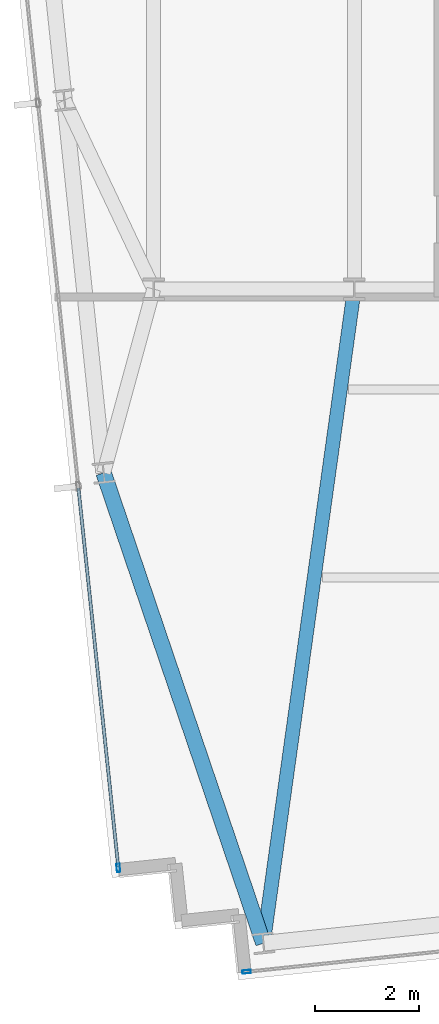
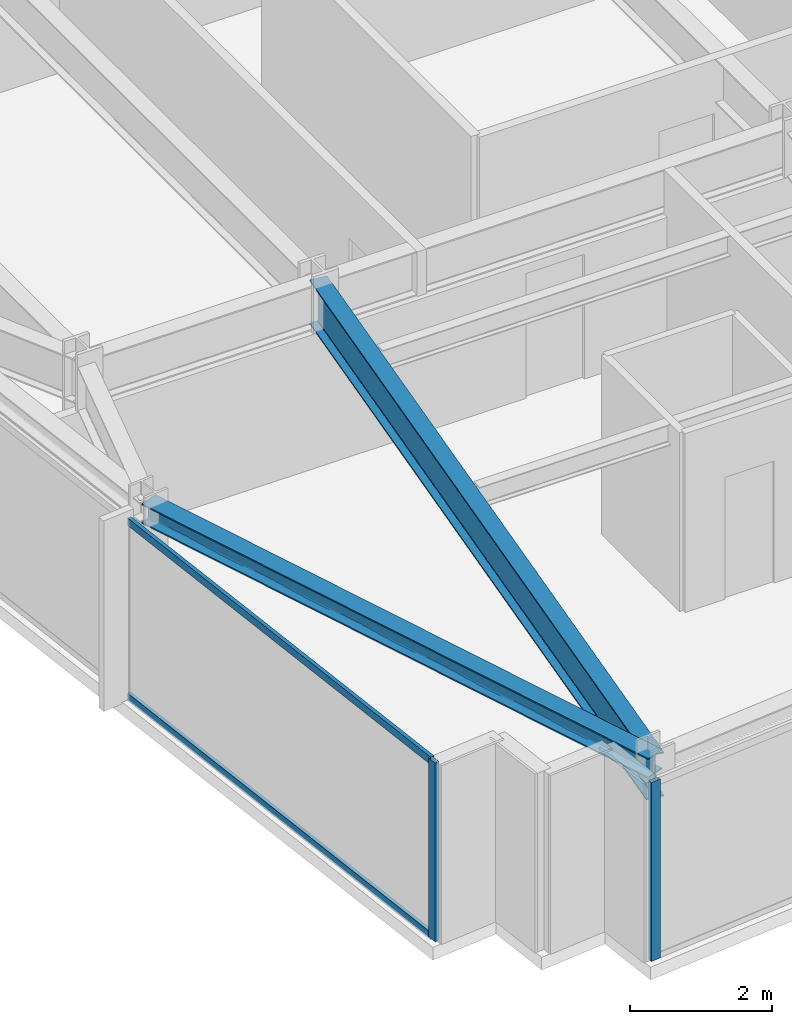
# One storey, part 2 of 33: 4 members, 2 beams, 2 elements without a shape of their own.
"""IFC4 building model written with IfcOpenShell, lengths in metres."""

from ifc_helpers import new_model, si_unit, direction, frame, origin, origin_2d, place, context, subcontext, project, spatial, hollow_rectangle, i_section, extrude, material, material_profile, profile_set, type_object, element, aggregate, save


model = new_model("IFC4")

# Units and contexts
model_context = context("Model", 3, precision=1e-05, world=origin(), true_north=direction((0.0, 1.0)))
body_context = subcontext(model_context, "Body", "Model", "MODEL_VIEW")
ifc_project = project(units=[si_unit("LENGTHUNIT", "METRE"), si_unit("AREAUNIT", "SQUARE_METRE"), si_unit("VOLUMEUNIT", "CUBIC_METRE"), si_unit("PLANEANGLEUNIT", "RADIAN"), si_unit("MASSUNIT", "GRAM", prefix="KILO")], contexts=[model_context])

# Site, building, storey
site_placement = place(None, origin())
site = spatial("IfcSite", under=ifc_project, at=site_placement, CompositionType="ELEMENT")
building_placement = place(site_placement, origin())
building = spatial("IfcBuilding", under=site, at=building_placement, Name="Yelkora Congress Tower", CompositionType="ELEMENT")
storey_placement = place(building_placement, frame((0.0, 0.0, 237.5)))
storey = spatial("IfcBuildingStorey", under=building, at=storey_placement, Name="L66", CompositionType="ELEMENT", Elevation=237.5)

# Beams
ifc_material_1 = material(Name="Steel S355J2", Category="steel")
ifc_material_profile_1 = material_profile(ifc_material_1, i_section(OverallWidth=0.26708984375, OverallDepth=0.761962890625, WebThickness=0.014404296875, FlangeThickness=0.021484375, FilletRadius=0.01708984375, at=origin_2d()), Name="IPE 750x173")
ifc_profile_set_1 = profile_set([ifc_material_profile_1], Name="Steel S355J2")
beam_type_1 = type_object("IfcBeamType", Name="BM-GIRD-IPE750", PredefinedType="BEAM", material=ifc_profile_set_1)
beam_1_placement = place(storey_placement, frame((21.299072265625, 12.678466796875, 2.698974609375), z_axis=(0.137713626184, 0.990472088028, 0.0), x_axis=(-0.990472088028, 0.137713626184, 0.0)))
element("IfcBeam", 1, at=beam_1_placement, inside=storey, type_object=beam_type_1, Name="L66 Primary Frame Girder S01", PredefinedType="BEAM", context=body_context, shape_type="SweptSolid", body=[
    extrude(i_section(OverallWidth=0.26708984375, OverallDepth=0.761962890625, WebThickness=0.014404296875, FlangeThickness=0.021484375, FilletRadius=0.01708984375, at=origin_2d()), origin(), (0.0, 0.0, 1.0), 12.641845703125),
])
ifc_material_profile_2 = material_profile(ifc_material_1, i_section(OverallWidth=0.300048828125, OverallDepth=0.340087890625, WebThickness=0.011962890625, FlangeThickness=0.021484375, FilletRadius=0.027099609375, at=origin_2d()), Name="HEB 340")
ifc_profile_set_2 = profile_set([ifc_material_profile_2], Name="Steel S355J2")
beam_type_2 = type_object("IfcBeamType", Name="BM-SPAN-HEB340", PredefinedType="SPANDREL", material=ifc_profile_set_2)
beam_2_placement = place(storey_placement, frame((18.2412109375, 21.68310546875, 2.909912109375), z_axis=(0.321552459514, -0.94689176561, 0.0), x_axis=(0.94689176561, 0.321552459514, 0.0)))
element("IfcBeam", 2, at=beam_2_placement, inside=storey, type_object=beam_type_2, Name="L66 Perimeter Beam 2", PredefinedType="SPANDREL", context=body_context, shape_type="SweptSolid", body=[
    extrude(i_section(OverallWidth=0.300048828125, OverallDepth=0.340087890625, WebThickness=0.011962890625, FlangeThickness=0.021484375, FilletRadius=0.027099609375, at=origin_2d()), origin(), (0.0, 0.0, 1.0), 9.509765625),
])

# Curtain wall, member
ifc_material_2 = material(Name="Anodised aluminium and insulated glass", Category="aluminium")
curtain_wall_type = type_object("IfcCurtainWallType", Name="CW-SYS-B4", PredefinedType="NOTDEFINED", material=ifc_material_2)
curtain_wall_1_placement = place(storey_placement, origin())
curtain_wall_1 = element("IfcCurtainWall", 3, at=curtain_wall_1_placement, inside=storey, type_object=curtain_wall_type, Name="L66 Unitised Curtain Wall 5", PredefinedType="NOTDEFINED")
ifc_material_3 = material(Name="Anodised aluminium 6063-T6", Category="aluminium")
ifc_material_profile_3 = material_profile(ifc_material_3, hollow_rectangle(XDim=0.06494140625, YDim=0.159912109375, WallThickness=0.00390625, at=origin_2d()), Name="ALU 65x160x4")
ifc_profile_set_3 = profile_set([ifc_material_profile_3], Name="Anodised aluminium 6063-T6")
member_type_1 = type_object("IfcMemberType", Name="MEM-ML-B4", PredefinedType="MULLION", material=ifc_profile_set_3)
member_1_placement = place(storey_placement, frame((18.523193359375, 14.118896484375, 0.0), z_axis=(0.0, 0.0, 1.0), x_axis=(-0.994522145958, -0.104526079034, 0.0)))
member_1 = element("IfcMember", 4, at=member_1_placement, type_object=member_type_1, Name="CW-B4 mullion 1", PredefinedType="MULLION", context=body_context, shape_type="SweptSolid", body=[
    extrude(hollow_rectangle(XDim=0.06494140625, YDim=0.159912109375, WallThickness=0.00390625, at=origin_2d()), origin(), (0.0, 0.0, 1.0), 3.080078125),
])

curtain_wall_2_placement = place(storey_placement, origin())
curtain_wall_2 = element("IfcCurtainWall", 5, at=curtain_wall_2_placement, inside=storey, type_object=curtain_wall_type, Name="L66 Unitised Curtain Wall 20", PredefinedType="NOTDEFINED")
member_2_placement = place(storey_placement, frame((20.976806640625, 12.1318359375, 0.0), z_axis=(0.0, 0.0, 1.0), x_axis=(0.104526664994, -0.994522084373, 0.0)))
member_2 = element("IfcMember", 6, at=member_2_placement, type_object=member_type_1, Name="CW-B4 mullion 8", PredefinedType="MULLION", context=body_context, shape_type="SweptSolid", body=[
    extrude(hollow_rectangle(XDim=0.06494140625, YDim=0.159912109375, WallThickness=0.00390625, at=origin_2d()), origin(), (0.0, 0.0, 1.0), 3.080078125),
])
aggregate(curtain_wall_2, [member_2])

# Member
ifc_material_profile_4 = material_profile(ifc_material_3, hollow_rectangle(XDim=0.06005859375, YDim=0.1298828125, WallThickness=0.00390625, at=origin_2d()), Name="ALU 60x130x4")
ifc_profile_set_4 = profile_set([ifc_material_profile_4], Name="Anodised aluminium 6063-T6")
member_type_2 = type_object("IfcMemberType", Name="MEM-TR-B4", PredefinedType="USERDEFINED", material=ifc_profile_set_4)
member_3_placement = place(storey_placement, frame((18.52001953125, 14.151123046875, 0.030029296875), z_axis=(-0.104527725728, 0.994521972886, 0.0), x_axis=(-0.994521972886, -0.104527725728, 0.0)))
member_3 = element("IfcMember", 7, at=member_3_placement, type_object=member_type_2, Name="CW-B4 transom 1.1", ObjectType="TRANSOM", PredefinedType="USERDEFINED", context=body_context, shape_type="SweptSolid", body=[
    extrude(hollow_rectangle(XDim=0.06005859375, YDim=0.1298828125, WallThickness=0.00390625, at=origin_2d()), origin(), (0.0, 0.0, 1.0), 7.282470703125),
])

member_4_placement = place(storey_placement, frame((18.52001953125, 14.151123046875, 3.050048828125), z_axis=(-0.104527725728, 0.994521972886, 0.0), x_axis=(-0.994521972886, -0.104527725728, 0.0)))
member_4 = element("IfcMember", 8, at=member_4_placement, type_object=member_type_2, Name="CW-B4 transom 1.2", ObjectType="TRANSOM", PredefinedType="USERDEFINED", context=body_context, shape_type="SweptSolid", body=[
    extrude(hollow_rectangle(XDim=0.06005859375, YDim=0.1298828125, WallThickness=0.00390625, at=origin_2d()), origin(), (0.0, 0.0, 1.0), 7.282470703125),
])

aggregate(curtain_wall_1, [member_1, member_3, member_4])

save(model, "model.ifc")
